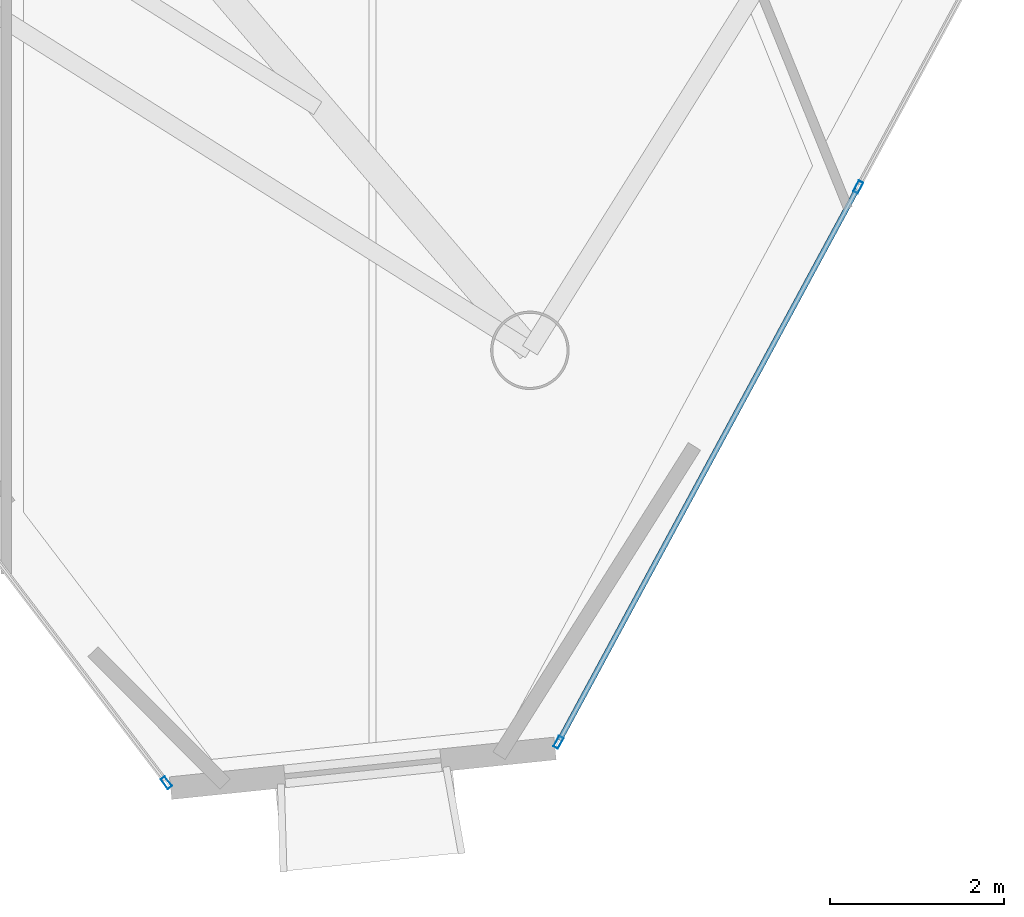
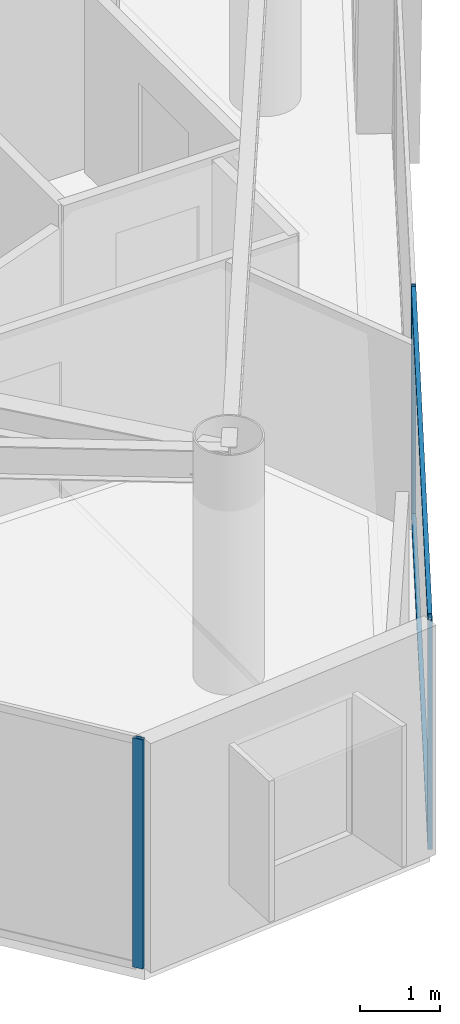
# One storey, part 5 of 24: 5 members, 2 elements without a shape of their own.
"""IFC4 building model written with IfcOpenShell, lengths in metres."""

from ifc_helpers import new_model, si_unit, direction, frame, origin, origin_2d, place, context, subcontext, project, spatial, hollow_rectangle, extrude, material, layer, layer_set, material_profile, profile_set, type_object, element, aggregate, save


model = new_model("IFC4")

# Units and contexts
model_context = context("Model", 3, precision=1e-05, world=origin(), true_north=direction((0.0, 1.0)))
body_context = subcontext(model_context, "Body", "Model", "MODEL_VIEW")
ifc_project = project(units=[si_unit("LENGTHUNIT", "METRE"), si_unit("AREAUNIT", "SQUARE_METRE"), si_unit("VOLUMEUNIT", "CUBIC_METRE"), si_unit("PLANEANGLEUNIT", "RADIAN"), si_unit("MASSUNIT", "GRAM", prefix="KILO")], contexts=[model_context])

# Site, building, storey
site_placement = place(None, origin())
site = spatial("IfcSite", under=ifc_project, at=site_placement, CompositionType="ELEMENT")
building_placement = place(site_placement, origin())
building = spatial("IfcBuilding", under=site, at=building_placement, Name="Qianvela Tower", CompositionType="ELEMENT")
storey_placement = place(building_placement, frame((0.0, 0.0, 306.5)))
storey = spatial("IfcBuildingStorey", under=building, at=storey_placement, Name="L79", CompositionType="ELEMENT", Elevation=306.5)

# Curtain wall, member
ifc_material_1 = material(Name="Anodised Architectural Aluminium and Low-E Glass", Category="aluminium")
ifc_layer = layer(ifc_material_1, 0.14990234375)
ifc_layer_set = layer_set([ifc_layer], Name="Anodised Architectural Aluminium and Low-E Glass")
curtain_wall_type = type_object("IfcCurtainWallType", Name="CW-COLIV-Z78", PredefinedType="USERDEFINED", material=ifc_layer_set)
curtain_wall_1_placement = place(storey_placement, origin())
curtain_wall_1 = element("IfcCurtainWall", 1, at=curtain_wall_1_placement, inside=storey, type_object=curtain_wall_type, Name="L79 CW-COLIV-Z78 Curtain Wall 04C", ObjectType="CURTAIN_WALL_SYSTEM", PredefinedType="USERDEFINED")
ifc_material_2 = material(Name="Anodised Architectural Aluminium 6063-T6", Category="aluminium")
ifc_material_profile_1 = material_profile(ifc_material_2, hollow_rectangle(XDim=0.06005859375, YDim=0.139892578125, WallThickness=0.00439453125, at=origin_2d()), Name="ALU-MULL-60x140")
ifc_profile_set_1 = profile_set([ifc_material_profile_1], Name="Anodised Architectural Aluminium 6063-T6")
member_type_1 = type_object("IfcMemberType", Name="CW-COLIV-Z78-MULL", PredefinedType="MULLION", material=ifc_profile_set_1)
member_1_placement = place(storey_placement, frame((34.927734375, 6.6318359375, 0.0), z_axis=(0.0, 0.0, 1.0), x_axis=(0.795686645152, 0.605708479986, 0.0)))
member_1 = element("IfcMember", 2, at=member_1_placement, type_object=member_type_1, Name="CW-6 mullion 3", PredefinedType="MULLION", context=body_context, shape_type="SweptSolid", body=[
    extrude(hollow_rectangle(XDim=0.06005859375, YDim=0.139892578125, WallThickness=0.00439453125, at=origin_2d()), origin(), (0.0, 0.0, 1.0), 3.52001953125),
])
aggregate(curtain_wall_1, [member_1])

# Curtain wall, members
curtain_wall_2_placement = place(storey_placement, origin())
curtain_wall_2 = element("IfcCurtainWall", 3, at=curtain_wall_2_placement, inside=storey, type_object=curtain_wall_type, Name="L79 CW-COLIV-Z78 Curtain Wall 06A", ObjectType="CURTAIN_WALL_SYSTEM", PredefinedType="USERDEFINED")
member_2_placement = place(storey_placement, frame((39.42236328125, 7.093505859375, 0.0), z_axis=(0.0, 0.0, 1.0), x_axis=(-0.879924445334, 0.475113639568, 0.0)))
member_2 = element("IfcMember", 4, at=member_2_placement, type_object=member_type_1, Name="CW-6 mullion 1", PredefinedType="MULLION", context=body_context, shape_type="SweptSolid", body=[
    extrude(hollow_rectangle(XDim=0.06005859375, YDim=0.139892578125, WallThickness=0.00439453125, at=origin_2d()), origin(), (0.0, 0.0, 1.0), 3.52001953125),
])
member_3_placement = place(storey_placement, frame((42.85986328125, 13.4599609375, 0.0), z_axis=(0.0, 0.0, 1.0), x_axis=(-0.879924445334, 0.475113639568, 0.0)))
member_3 = element("IfcMember", 5, at=member_3_placement, type_object=member_type_1, Name="CW-6 mullion 2", PredefinedType="MULLION", context=body_context, shape_type="SweptSolid", body=[
    extrude(hollow_rectangle(XDim=0.06005859375, YDim=0.139892578125, WallThickness=0.00439453125, at=origin_2d()), origin(), (0.0, 0.0, 1.0), 3.52001953125),
])
ifc_material_3 = material(Name="Anodised Architectural Aluminium 6063-T6", Category="aluminium")
ifc_material_profile_2 = material_profile(ifc_material_3, hollow_rectangle(XDim=0.06005859375, YDim=0.114990234375, WallThickness=0.00390625, at=origin_2d()), Name="ALU-TRAN-60x115")
ifc_profile_set_2 = profile_set([ifc_material_profile_2], Name="Anodised Architectural Aluminium 6063-T6")
member_type_2 = type_object("IfcMemberType", Name="CW-COLIV-Z78-TRAN", PredefinedType="USERDEFINED", material=ifc_profile_set_2)
member_4_placement = place(storey_placement, frame((39.436767578125, 7.1201171875, 0.030029296875), z_axis=(0.475126257666, 0.879917632098, 0.0), x_axis=(-0.879917632098, 0.475126257666, 0.0)))
member_4 = element("IfcMember", 6, at=member_4_placement, type_object=member_type_2, Name="CW-6 transom 1.1", ObjectType="TRANSOM", PredefinedType="USERDEFINED", context=body_context, shape_type="SweptSolid", body=[
    extrude(hollow_rectangle(XDim=0.06005859375, YDim=0.114990234375, WallThickness=0.00390625, at=origin_2d()), origin(), (0.0, 0.0, 1.0), 7.1748046875),
])
member_5_placement = place(storey_placement, frame((39.436767578125, 7.1201171875, 3.489990234375), z_axis=(0.475126257666, 0.879917632098, 0.0), x_axis=(-0.879917632098, 0.475126257666, 0.0)))
member_5 = element("IfcMember", 7, at=member_5_placement, type_object=member_type_2, Name="CW-6 transom 1.2", ObjectType="TRANSOM", PredefinedType="USERDEFINED", context=body_context, shape_type="SweptSolid", body=[
    extrude(hollow_rectangle(XDim=0.06005859375, YDim=0.114990234375, WallThickness=0.00390625, at=origin_2d()), origin(), (0.0, 0.0, 1.0), 7.1748046875),
])
aggregate(curtain_wall_2, [member_2, member_3, member_4, member_5])

save(model, "model.ifc")
